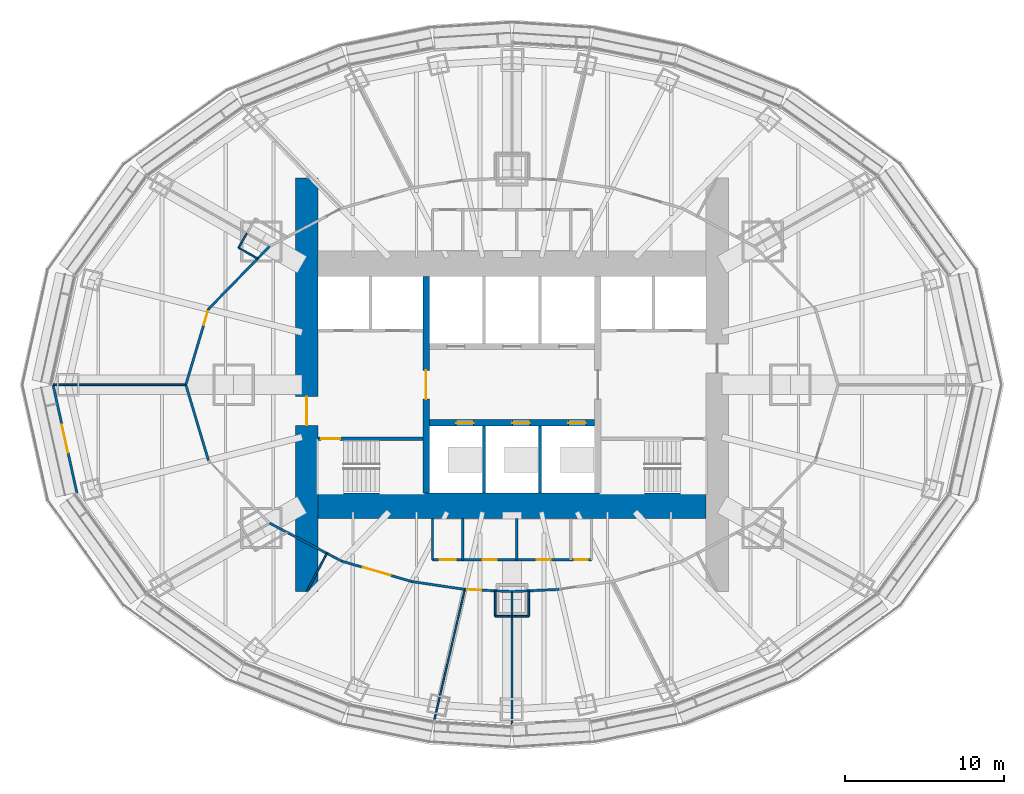
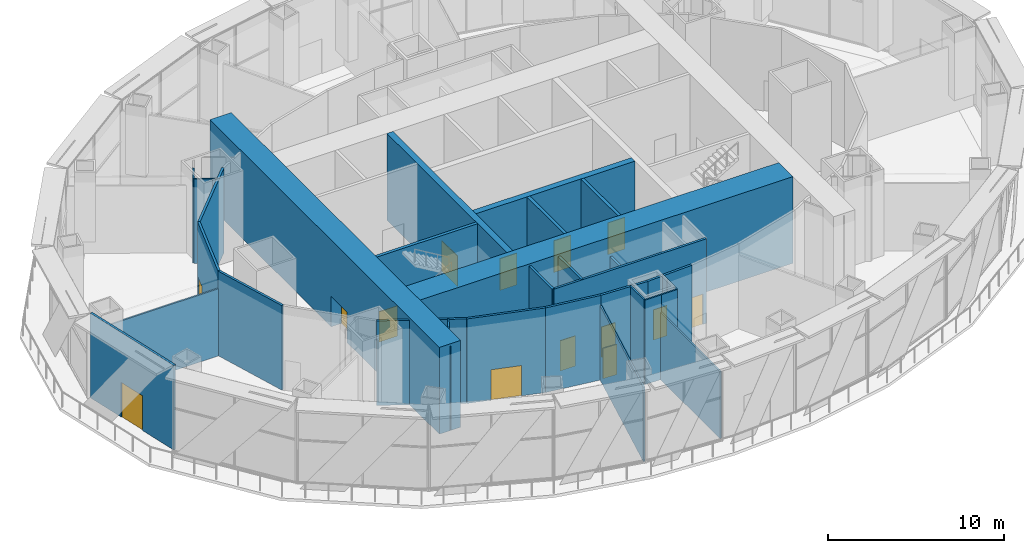
# One storey, part 11 of 21: 32 walls, 14 doors, 14 openings.
"""IFC4 building model written with IfcOpenShell, lengths in metres."""

from ifc_helpers import new_model, si_unit, direction, frame, frame_2d, origin, place, context, subcontext, project, spatial, rectangle, extrude, material, layer, layer_set, type_object, element, fill, save


model = new_model("IFC4")

# Units and contexts
model_context = context("Model", 3, precision=1e-05, world=origin(), true_north=direction((0.0, 1.0)))
body_context = subcontext(model_context, "Body", "Model", "MODEL_VIEW")
ifc_project = project(units=[si_unit("LENGTHUNIT", "METRE"), si_unit("AREAUNIT", "SQUARE_METRE"), si_unit("VOLUMEUNIT", "CUBIC_METRE"), si_unit("PLANEANGLEUNIT", "RADIAN"), si_unit("MASSUNIT", "GRAM", prefix="KILO")], contexts=[model_context])

# Site, building, storey
site_placement = place(None, origin())
site = spatial("IfcSite", under=ifc_project, at=site_placement, CompositionType="ELEMENT")
building_placement = place(site_placement, origin())
building = spatial("IfcBuilding", under=site, at=building_placement, Name="Lantaw Convention Tower", CompositionType="ELEMENT")
storey_placement = place(building_placement, frame((0.0, 0.0, 111.39990234375)))
storey = spatial("IfcBuildingStorey", under=building, at=storey_placement, Name="L26", CompositionType="ELEMENT", Elevation=111.39990234375)

# Walls
ifc_material_1 = material(Name="Fire-rated board casing on steel studs", Category="steel")
ifc_layer_1 = layer(ifc_material_1, 0.10009765625)
ifc_layer_set_1 = layer_set([ifc_layer_1], Name="Casing wall 100 EI 120")
wall_type_1 = type_object("IfcWallType", Name="Casing wall 100 EI 120", PredefinedType="PARTITIONING", material=ifc_layer_set_1)
wall_1_placement = place(storey_placement, frame((1.050048828125, -12.951416015625, 0.0), z_axis=(0.0, 0.0, 1.0), x_axis=(0.0, -1.0, 0.0)))
element("IfcWall", 1, at=wall_1_placement, inside=storey, type_object=wall_type_1, Name="Casing wall 100", PredefinedType="PARTITIONING", context=body_context, shape_type="SweptSolid", body=[
    extrude(rectangle(XDim=0.548583984375, YDim=0.10009765625, at=frame_2d((0.2744140625, 0.0))), origin(), (0.0, 0.0, 1.0), 5.85009765625),
])
for number, where, z_axis, x_axis, name in (
    (2, (1.050048828125, -13.5, 0.0), (0.0, 0.0, 1.0), (0.0, -1.0, 0.0), "Casing wall 100"),
    (3, (1.050048828125, -14.550048828125, 0.0), (0.0, 0.0, 1.0), (-1.0, 0.0, 0.0), "Casing wall 100"),
    (4, (0.0, -14.550048828125, 0.0), (0.0, 0.0, 1.0), (-1.0, 0.0, 0.0), "Casing wall 100"),
):
    element("IfcWall", number, at=place(storey_placement, frame(where, z_axis=z_axis, x_axis=x_axis)), inside=storey, type_object=wall_type_1, Name=name, PredefinedType="PARTITIONING", context=body_context, shape_type="SweptSolid", body=[
        extrude(rectangle(XDim=1.050048828125, YDim=0.10009765625, at=frame_2d((0.52490234375, 0.0))), origin(), (0.0, 0.0, 1.0), 5.85009765625),
    ])
wall_2_placement = place(storey_placement, frame((-1.050048828125, -14.550048828125, 0.0), z_axis=(0.0, 0.0, 1.0), x_axis=(0.0, 1.0, 0.0)))
element("IfcWall", 5, at=wall_2_placement, inside=storey, type_object=wall_type_1, Name="Casing wall 100", PredefinedType="PARTITIONING", context=body_context, shape_type="SweptSolid", body=[
    extrude(rectangle(XDim=1.5986328125, YDim=0.10009765625, at=frame_2d((0.79931640625, 0.0))), origin(), (0.0, 0.0, 1.0), 5.85009765625),
])
wall_3_placement = place(storey_placement, frame((-17.1826171875, 8.609375, 0.0), z_axis=(0.0, 0.0, 1.0), x_axis=(0.49623995811, 0.868185408755, 0.0)))
element("IfcWall", 6, at=wall_3_placement, inside=storey, type_object=wall_type_1, Name="Casing wall 100", PredefinedType="PARTITIONING", context=body_context, shape_type="SweptSolid", body=[
    extrude(rectangle(XDim=1.041015625, YDim=0.10009765625, at=frame_2d((0.5205078125, 0.0))), origin(), (0.0, 0.0, 1.0), 5.85009765625),
])
wall_4_placement = place(storey_placement, frame((-15.98681640625, 7.926025390625, 0.0), z_axis=(0.0, 0.0, 1.0), x_axis=(-0.868289043195, 0.496058602856, 0.0)))
element("IfcWall", 7, at=wall_4_placement, inside=storey, type_object=wall_type_1, Name="Casing wall 100", PredefinedType="PARTITIONING", context=body_context, shape_type="SweptSolid", body=[
    extrude(rectangle(XDim=0.327392578125, YDim=0.10009765625, at=frame_2d((0.16357421875, 0.0))), origin(), (0.0, 0.0, 1.0), 5.85009765625),
])
wall_5_placement = place(storey_placement, frame((-16.27099609375, 8.08837890625, 0.0), z_axis=(0.0, 0.0, 1.0), x_axis=(-0.868214523334, 0.496189017888, 0.0)))
element("IfcWall", 8, at=wall_5_placement, inside=storey, type_object=wall_type_1, Name="Casing wall 100", PredefinedType="PARTITIONING", context=body_context, shape_type="SweptSolid", body=[
    extrude(rectangle(XDim=1.050048828125, YDim=0.10009765625, at=frame_2d((0.52490234375, 0.0))), origin(), (0.0, 0.0, 1.0), 5.85009765625),
])

# Wall, opening, door
ifc_material_2 = material(Name="Concrete C60/75", Category="concrete")
ifc_layer_2 = layer(ifc_material_2, 1.39990234375)
ifc_layer_set_2 = layer_set([ifc_layer_2], Name="Core wall 1400")
wall_type_2 = type_object("IfcWallType", Name="Core wall 1400", PredefinedType="SHEAR", material=ifc_layer_set_2)
wall_6_placement = place(storey_placement, frame((-12.89990234375, 13.0, 0.0), z_axis=(0.0, 0.0, 1.0), x_axis=(0.0, -1.0, 0.0)))
wall_6 = element("IfcWall", 9, at=wall_6_placement, inside=storey, type_object=wall_type_2, Name="Core wall W", PredefinedType="SHEAR", context=body_context, shape_type="SweptSolid", body=[
    extrude(rectangle(XDim=26.0, YDim=1.39990234375, at=frame_2d((13.0, 0.0))), origin(), (0.0, 0.0, 1.0), 6.0),
])
opening_1_placement = place(wall_6_placement, frame((13.75, 0.0, 0.0)))
opening_1 = element("IfcOpeningElement", 10, at=opening_1_placement, cuts=wall_6, Name="Opening L26.06", PredefinedType="OPENING", context=body_context, shape_type="SweptSolid", body=[
    extrude(rectangle(XDim=1.800048828125, YDim=2.10009765625, at=frame_2d((0.89990234375, 1.050048828125))), frame((0.0, 0.7099609375, 0.0), z_axis=(0.0, -1.0, 0.0), x_axis=(1.0, 0.0, 0.0)), (0.0, 0.0, 1.0), 1.419921875),
])
ifc_material_3 = material(Name="Steel, fire rated", Category="steel")
door_type_1 = type_object("IfcDoorType", Name="Lobby double door FD90", OperationType="DOUBLE_DOOR_DOUBLE_SWING", PredefinedType="DOOR", material=ifc_material_3)
door_1_placement = place(opening_1_placement, origin())
door_1 = element("IfcDoor", 11, at=door_1_placement, inside=storey, type_object=door_type_1, Name="Firefighting lobby door", OperationType="DOUBLE_DOOR_DOUBLE_SWING", OverallHeight=2.10009765625, OverallWidth=1.800048828125, PredefinedType="DOOR", context=body_context, shape_type="SweptSolid", body=[
    extrude(rectangle(XDim=1.800048828125, YDim=2.10009765625, at=frame_2d((0.89990234375, 1.050048828125))), frame((0.0, 0.02490234375, 0.0), z_axis=(0.0, -1.0, 0.0), x_axis=(1.0, 0.0, 0.0)), (0.0, 0.0, 1.0), 0.050048828125),
])
fill(opening_1, door_1)

# Wall
ifc_layer_3 = layer(ifc_material_2, 1.60009765625)
ifc_layer_set_3 = layer_set([ifc_layer_3], Name="Core wall 1600")
wall_type_3 = type_object("IfcWallType", Name="Core wall 1600", PredefinedType="SHEAR", material=ifc_layer_set_3)
wall_7_placement = place(storey_placement, frame((-12.199951171875, -7.60009765625, 0.0), z_axis=(0.0, 0.0, 1.0), x_axis=(1.0, 0.0, 0.0)))
element("IfcWall", 12, at=wall_7_placement, inside=storey, type_object=wall_type_3, Name="Core wall S", PredefinedType="SHEAR", context=body_context, shape_type="SweptSolid", body=[
    extrude(rectangle(XDim=24.39990234375, YDim=1.60009765625, at=frame_2d((12.199951171875, 0.0))), origin(), (0.0, 0.0, 1.0), 6.0),
])

# Wall, opening, door
ifc_layer_4 = layer(ifc_material_2, 0.199951171875)
ifc_layer_set_4 = layer_set([ifc_layer_4], Name="Core wall 200")
wall_type_4 = type_object("IfcWallType", Name="Core wall 200", PredefinedType="SHEAR", material=ifc_layer_set_4)
wall_8_placement = place(storey_placement, frame((-5.60009765625, -3.39990234375, 0.0), z_axis=(0.0, 0.0, 1.0), x_axis=(-1.0, 0.0, 0.0)))
wall_8 = element("IfcWall", 13, at=wall_8_placement, inside=storey, type_object=wall_type_4, Name="Core wall WS", PredefinedType="SHEAR", context=body_context, shape_type="SweptSolid", body=[
    extrude(rectangle(XDim=6.599853515625, YDim=0.199951171875, at=frame_2d((3.2998046875, 0.0))), origin(), (0.0, 0.0, 1.0), 6.0),
])
opening_2_placement = place(wall_8_placement, frame((5.199951171875, 0.0, 0.0)))
opening_2 = element("IfcOpeningElement", 14, at=opening_2_placement, cuts=wall_8, Name="Opening L26.04", PredefinedType="OPENING", context=body_context, shape_type="SweptSolid", body=[
    extrude(rectangle(XDim=1.199951171875, YDim=2.10009765625, at=frame_2d((0.60009765625, 1.050048828125))), frame((0.0, 0.10986328125, 0.0), z_axis=(0.0, -1.0, 0.0), x_axis=(1.0, 0.0, 0.0)), (0.0, 0.0, 1.0), 0.219970703125),
])
door_type_2 = type_object("IfcDoorType", Name="Stair door FD90", OperationType="SINGLE_SWING_RIGHT", PredefinedType="DOOR", material=ifc_material_3)
door_2_placement = place(opening_2_placement, origin())
door_2 = element("IfcDoor", 15, at=door_2_placement, inside=storey, type_object=door_type_2, Name="Exit stair door", OperationType="SINGLE_SWING_RIGHT", OverallHeight=2.10009765625, OverallWidth=1.199951171875, PredefinedType="DOOR", context=body_context, shape_type="SweptSolid", body=[
    extrude(rectangle(XDim=1.199951171875, YDim=2.10009765625, at=frame_2d((0.60009765625, 1.050048828125))), frame((0.0, 0.02490234375, 0.0), z_axis=(0.0, -1.0, 0.0), x_axis=(1.0, 0.0, 0.0)), (0.0, 0.0, 1.0), 0.050048828125),
])
fill(opening_2, door_2)

ifc_layer_5 = layer(ifc_material_2, 0.39990234375)
ifc_layer_set_5 = layer_set([ifc_layer_5], Name="Core wall 400")
wall_type_5 = type_object("IfcWallType", Name="Core wall 400", PredefinedType="SHEAR", material=ifc_layer_set_5)
wall_9_placement = place(storey_placement, frame((-5.39990234375, 6.800048828125, 0.0), z_axis=(0.0, 0.0, 1.0), x_axis=(0.0, -1.0, 0.0)))
wall_9 = element("IfcWall", 16, at=wall_9_placement, inside=storey, type_object=wall_type_5, Name="Core wall XW", PredefinedType="SHEAR", context=body_context, shape_type="SweptSolid", body=[
    extrude(rectangle(XDim=13.60009765625, YDim=0.39990234375, at=frame_2d((6.800048828125, 0.0))), origin(), (0.0, 0.0, 1.0), 6.0),
])
opening_3_placement = place(wall_9_placement, frame((5.89990234375, 0.0, 0.0)))
opening_3 = element("IfcOpeningElement", 17, at=opening_3_placement, cuts=wall_9, Name="Opening L26.02", PredefinedType="OPENING", context=body_context, shape_type="SweptSolid", body=[
    extrude(rectangle(XDim=1.800048828125, YDim=2.10009765625, at=frame_2d((0.89990234375, 1.050048828125))), frame((0.0, 0.2099609375, 0.0), z_axis=(0.0, -1.0, 0.0), x_axis=(1.0, 0.0, 0.0)), (0.0, 0.0, 1.0), 0.419921875),
])
door_3_placement = place(opening_3_placement, origin())
door_3 = element("IfcDoor", 18, at=door_3_placement, inside=storey, type_object=door_type_1, Name="Lift lobby door", OperationType="DOUBLE_DOOR_DOUBLE_SWING", OverallHeight=2.10009765625, OverallWidth=1.800048828125, PredefinedType="DOOR", context=body_context, shape_type="SweptSolid", body=[
    extrude(rectangle(XDim=1.800048828125, YDim=2.10009765625, at=frame_2d((0.89990234375, 1.050048828125))), frame((0.0, 0.02490234375, 0.0), z_axis=(0.0, -1.0, 0.0), x_axis=(1.0, 0.0, 0.0)), (0.0, 0.0, 1.0), 0.050048828125),
])
fill(opening_3, door_3)

# Wall, openings, doors
wall_10_placement = place(storey_placement, frame((-5.199951171875, -2.39990234375, 0.0), z_axis=(0.0, 0.0, 1.0), x_axis=(1.0, 0.0, 0.0)))
wall_10 = element("IfcWall", 19, at=wall_10_placement, inside=storey, type_object=wall_type_5, Name="Core wall BS", PredefinedType="SHEAR", context=body_context, shape_type="SweptSolid", body=[
    extrude(rectangle(XDim=10.39990234375, YDim=0.39990234375, at=frame_2d((5.199951171875, 0.0))), origin(), (0.0, 0.0, 1.0), 6.0),
])
opening_4_placement = place(wall_10_placement, frame((1.683349609375, 0.0, 0.0)))
opening_4 = element("IfcOpeningElement", 20, at=opening_4_placement, cuts=wall_10, Name="Opening L26.08", PredefinedType="OPENING", context=body_context, shape_type="SweptSolid", body=[
    extrude(rectangle(XDim=1.10009765625, YDim=2.199951171875, at=frame_2d((0.550048828125, 1.10009765625))), frame((0.0, 0.2099609375, 0.0), z_axis=(0.0, -1.0, 0.0), x_axis=(1.0, 0.0, 0.0)), (0.0, 0.0, 1.0), 0.419921875),
])
opening_5_placement = place(wall_10_placement, frame((5.216796875, 0.0, 0.0)))
opening_5 = element("IfcOpeningElement", 21, at=opening_5_placement, cuts=wall_10, Name="Opening L26.10", PredefinedType="OPENING", context=body_context, shape_type="SweptSolid", body=[
    extrude(rectangle(XDim=1.10009765625, YDim=2.199951171875, at=frame_2d((0.550048828125, 1.10009765625))), frame((0.0, 0.2099609375, 0.0), z_axis=(0.0, -1.0, 0.0), x_axis=(1.0, 0.0, 0.0)), (0.0, 0.0, 1.0), 0.419921875),
])
opening_6_placement = place(wall_10_placement, frame((8.75, 0.0, 0.0)))
opening_6 = element("IfcOpeningElement", 22, at=opening_6_placement, cuts=wall_10, Name="Opening L26.12", PredefinedType="OPENING", context=body_context, shape_type="SweptSolid", body=[
    extrude(rectangle(XDim=1.10009765625, YDim=2.199951171875, at=frame_2d((0.550048828125, 1.10009765625))), frame((0.0, 0.2099609375, 0.0), z_axis=(0.0, -1.0, 0.0), x_axis=(1.0, 0.0, 0.0)), (0.0, 0.0, 1.0), 0.419921875),
])
ifc_material_4 = material(Name="Stainless steel", Category="steel")
door_type_3 = type_object("IfcDoorType", Name="Lift landing door 1100", OperationType="DOUBLE_DOOR_SLIDING", PredefinedType="DOOR", material=ifc_material_4)
door_4_placement = place(opening_4_placement, origin())
door_4 = element("IfcDoor", 23, at=door_4_placement, inside=storey, type_object=door_type_3, Name="Lift landing door S1", OperationType="DOUBLE_DOOR_SLIDING", OverallHeight=2.199951171875, OverallWidth=1.10009765625, PredefinedType="DOOR", context=body_context, shape_type="SweptSolid", body=[
    extrude(rectangle(XDim=1.10009765625, YDim=2.199951171875, at=frame_2d((0.550048828125, 1.10009765625))), frame((0.0, 0.02490234375, 0.0), z_axis=(0.0, -1.0, 0.0), x_axis=(1.0, 0.0, 0.0)), (0.0, 0.0, 1.0), 0.050048828125),
])
fill(opening_4, door_4)
door_5_placement = place(opening_5_placement, origin())
door_5 = element("IfcDoor", 24, at=door_5_placement, inside=storey, type_object=door_type_3, Name="Lift landing door S2", OperationType="DOUBLE_DOOR_SLIDING", OverallHeight=2.199951171875, OverallWidth=1.10009765625, PredefinedType="DOOR", context=body_context, shape_type="SweptSolid", body=[
    extrude(rectangle(XDim=1.10009765625, YDim=2.199951171875, at=frame_2d((0.550048828125, 1.10009765625))), frame((0.0, 0.02490234375, 0.0), z_axis=(0.0, -1.0, 0.0), x_axis=(1.0, 0.0, 0.0)), (0.0, 0.0, 1.0), 0.050048828125),
])
fill(opening_5, door_5)
door_6_placement = place(opening_6_placement, origin())
door_6 = element("IfcDoor", 25, at=door_6_placement, inside=storey, type_object=door_type_3, Name="Lift landing door S3", OperationType="DOUBLE_DOOR_SLIDING", OverallHeight=2.199951171875, OverallWidth=1.10009765625, PredefinedType="DOOR", context=body_context, shape_type="SweptSolid", body=[
    extrude(rectangle(XDim=1.10009765625, YDim=2.199951171875, at=frame_2d((0.550048828125, 1.10009765625))), frame((0.0, 0.02490234375, 0.0), z_axis=(0.0, -1.0, 0.0), x_axis=(1.0, 0.0, 0.0)), (0.0, 0.0, 1.0), 0.050048828125),
])
fill(opening_6, door_6)

# Wall
ifc_material_5 = material(Name="Gypsum board on steel studs, fire rated", Category="steel")
ifc_layer_6 = layer(ifc_material_5, 0.14990234375)
ifc_layer_set_6 = layer_set([ifc_layer_6], Name="Corridor wall 150 EI 60")
wall_type_6 = type_object("IfcWallType", Name="Corridor wall 150 EI 60", PredefinedType="PARTITIONING", material=ifc_layer_set_6)
wall_11_placement = place(storey_placement, frame((-15.229248046875, 8.702392578125, 0.0), z_axis=(0.0, 0.0, 1.0), x_axis=(-0.698305033542, -0.715800307439, 0.0)))
element("IfcWall", 26, at=wall_11_placement, inside=storey, type_object=wall_type_6, Name="Corridor wall 150", PredefinedType="PARTITIONING", context=body_context, shape_type="SweptSolid", body=[
    extrude(rectangle(XDim=5.51220703125, YDim=0.14990234375, at=frame_2d((2.756103515625, 0.0))), origin(), (0.0, 0.0, 1.0), 5.85009765625),
])

# Wall, opening, door
wall_12_placement = place(storey_placement, frame((-19.078369140625, 4.7568359375, 0.0), z_axis=(0.0, 0.0, 1.0), x_axis=(-0.286346182056, -0.958126225516, 0.0)))
wall_12 = element("IfcWall", 27, at=wall_12_placement, inside=storey, type_object=wall_type_6, Name="Corridor wall 150", PredefinedType="PARTITIONING", context=body_context, shape_type="SweptSolid", body=[
    extrude(rectangle(XDim=4.96484375, YDim=0.14990234375, at=frame_2d((2.482421875, 0.0))), origin(), (0.0, 0.0, 1.0), 5.85009765625),
])
opening_7_placement = place(wall_12_placement, frame((0.14990234375, 0.0, 0.0)))
opening_7 = element("IfcOpeningElement", 28, at=opening_7_placement, cuts=wall_12, Name="Opening L26.31", PredefinedType="OPENING", context=body_context, shape_type="SweptSolid", body=[
    extrude(rectangle(XDim=0.89990234375, YDim=2.10009765625, at=frame_2d((0.449951171875, 1.050048828125))), frame((0.0, 0.0849609375, 0.0), z_axis=(0.0, -1.0, 0.0), x_axis=(1.0, 0.0, 0.0)), (0.0, 0.0, 1.0), 0.169921875),
])
door_type_4 = type_object("IfcDoorType", Name="Office door 900 FD30", OperationType="SINGLE_SWING_LEFT", PredefinedType="DOOR", material=ifc_material_3)
door_7_placement = place(opening_7_placement, origin())
door_7 = element("IfcDoor", 29, at=door_7_placement, inside=storey, type_object=door_type_4, Name="Security office door", OperationType="SINGLE_SWING_LEFT", OverallHeight=2.10009765625, OverallWidth=0.89990234375, PredefinedType="DOOR", context=body_context, shape_type="SweptSolid", body=[
    extrude(rectangle(XDim=0.89990234375, YDim=2.10009765625, at=frame_2d((0.449951171875, 1.050048828125))), frame((0.0, 0.02490234375, 0.0), z_axis=(0.0, -1.0, 0.0), x_axis=(1.0, 0.0, 0.0)), (0.0, 0.0, 1.0), 0.050048828125),
])
fill(opening_7, door_7)

# Walls
wall_13_placement = place(storey_placement, frame((-20.5, 0.0, 0.0), z_axis=(0.0, 0.0, 1.0), x_axis=(0.286346182056, -0.958126225516, 0.0)))
element("IfcWall", 30, at=wall_13_placement, inside=storey, type_object=wall_type_6, Name="Corridor wall 150", PredefinedType="PARTITIONING", context=body_context, shape_type="SweptSolid", body=[
    extrude(rectangle(XDim=4.96484375, YDim=0.14990234375, at=frame_2d((2.482421875, 0.0))), origin(), (0.0, 0.0, 1.0), 5.85009765625),
])
wall_14_placement = place(storey_placement, frame((-15.229248046875, -8.702392578125, 0.0), z_axis=(0.0, 0.0, 1.0), x_axis=(0.884643590306, -0.466267860924, 0.0)))
element("IfcWall", 31, at=wall_14_placement, inside=storey, type_object=wall_type_6, Name="Corridor wall 150", PredefinedType="PARTITIONING", context=body_context, shape_type="SweptSolid", body=[
    extrude(rectangle(XDim=5.113037109375, YDim=0.14990234375, at=frame_2d((2.556640625, 0.0))), origin(), (0.0, 0.0, 1.0), 5.85009765625),
])

# Wall, opening, door
wall_15_placement = place(storey_placement, frame((-10.7060546875, -11.08642578125, 0.0), z_axis=(0.0, 0.0, 1.0), x_axis=(0.96001728753, -0.279940721659, 0.0)))
wall_15 = element("IfcWall", 32, at=wall_15_placement, inside=storey, type_object=wall_type_6, Name="Corridor wall 150", PredefinedType="PARTITIONING", context=body_context, shape_type="SweptSolid", body=[
    extrude(rectangle(XDim=4.58642578125, YDim=0.14990234375, at=frame_2d((2.293212890625, 0.0))), origin(), (0.0, 0.0, 1.0), 5.85009765625),
])
opening_8_placement = place(wall_15_placement, frame((1.393310546875, 0.0, 0.0)))
opening_8 = element("IfcOpeningElement", 33, at=opening_8_placement, cuts=wall_15, Name="Opening L26.33", PredefinedType="OPENING", context=body_context, shape_type="SweptSolid", body=[
    extrude(rectangle(XDim=1.800048828125, YDim=2.10009765625, at=frame_2d((0.89990234375, 1.050048828125))), frame((0.0, 0.0849609375, 0.0), z_axis=(0.0, -1.0, 0.0), x_axis=(1.0, 0.0, 0.0)), (0.0, 0.0, 1.0), 0.169921875),
])
door_type_5 = type_object("IfcDoorType", Name="Office double door 1800 FD30", OperationType="DOUBLE_DOOR_DOUBLE_SWING", PredefinedType="DOOR", material=ifc_material_3)
door_8_placement = place(opening_8_placement, origin())
door_8 = element("IfcDoor", 34, at=door_8_placement, inside=storey, type_object=door_type_5, Name="Tenant business centre door", OperationType="DOUBLE_DOOR_DOUBLE_SWING", OverallHeight=2.10009765625, OverallWidth=1.800048828125, PredefinedType="DOOR", context=body_context, shape_type="SweptSolid", body=[
    extrude(rectangle(XDim=1.800048828125, YDim=2.10009765625, at=frame_2d((0.89990234375, 1.050048828125))), frame((0.0, 0.02490234375, 0.0), z_axis=(0.0, -1.0, 0.0), x_axis=(1.0, 0.0, 0.0)), (0.0, 0.0, 1.0), 0.050048828125),
])
fill(opening_8, door_8)

# Wall
wall_16_placement = place(storey_placement, frame((-6.302978515625, -12.370361328125, 0.0), z_axis=(0.0, 0.0, 1.0), x_axis=(0.989262902935, -0.146146874329, 0.0)))
element("IfcWall", 35, at=wall_16_placement, inside=storey, type_object=wall_type_6, Name="Corridor wall 150", PredefinedType="PARTITIONING", context=body_context, shape_type="SweptSolid", body=[
    extrude(rectangle(XDim=3.369384765625, YDim=0.14990234375, at=frame_2d((1.6845703125, 0.0))), origin(), (0.0, 0.0, 1.0), 5.85009765625),
])

# Wall, opening, door
wall_17_placement = place(storey_placement, frame((-2.9697265625, -12.86279296875, 0.0), z_axis=(0.0, 0.0, 1.0), x_axis=(0.998934397568, -0.046152674403, 0.0)))
wall_17 = element("IfcWall", 36, at=wall_17_placement, inside=storey, type_object=wall_type_6, Name="Corridor wall 150", PredefinedType="PARTITIONING", context=body_context, shape_type="SweptSolid", body=[
    extrude(rectangle(XDim=2.972900390625, YDim=0.14990234375, at=frame_2d((1.486328125, 0.0))), origin(), (0.0, 0.0, 1.0), 5.85009765625),
])
opening_9_placement = place(wall_17_placement, frame((0.14990234375, 0.0, 0.0)))
opening_9 = element("IfcOpeningElement", 37, at=opening_9_placement, cuts=wall_17, Name="Opening L26.34", PredefinedType="OPENING", context=body_context, shape_type="SweptSolid", body=[
    extrude(rectangle(XDim=0.89990234375, YDim=2.10009765625, at=frame_2d((0.449951171875, 1.050048828125))), frame((0.0, 0.0849609375, 0.0), z_axis=(0.0, -1.0, 0.0), x_axis=(1.0, 0.0, 0.0)), (0.0, 0.0, 1.0), 0.169921875),
])
door_9_placement = place(opening_9_placement, origin())
door_9 = element("IfcDoor", 38, at=door_9_placement, inside=storey, type_object=door_type_4, Name="Mail and courier room door", OperationType="SINGLE_SWING_LEFT", OverallHeight=2.10009765625, OverallWidth=0.89990234375, PredefinedType="DOOR", context=body_context, shape_type="SweptSolid", body=[
    extrude(rectangle(XDim=0.89990234375, YDim=2.10009765625, at=frame_2d((0.449951171875, 1.050048828125))), frame((0.0, 0.02490234375, 0.0), z_axis=(0.0, -1.0, 0.0), x_axis=(1.0, 0.0, 0.0)), (0.0, 0.0, 1.0), 0.050048828125),
])
fill(opening_9, door_9)

# Wall
wall_18_placement = place(storey_placement, frame((0.0, -13.0, 0.0), z_axis=(0.0, 0.0, 1.0), x_axis=(0.998934397568, 0.046152674403, 0.0)))
element("IfcWall", 39, at=wall_18_placement, inside=storey, type_object=wall_type_6, Name="Corridor wall 150", PredefinedType="PARTITIONING", context=body_context, shape_type="SweptSolid", body=[
    extrude(rectangle(XDim=2.972900390625, YDim=0.14990234375, at=frame_2d((1.486328125, 0.0))), origin(), (0.0, 0.0, 1.0), 5.85009765625),
])

# Wall, opening, door
ifc_material_6 = material(Name="Aluminium framed glazing", Category="aluminium")
ifc_layer_7 = layer(ifc_material_6, 0.14990234375)
ifc_layer_set_7 = layer_set([ifc_layer_7], Name="Glazed entrance screen 150")
wall_type_7 = type_object("IfcWallType", Name="Glazed entrance screen 150", PredefinedType="ELEMENTEDWALL", material=ifc_layer_set_7)
wall_19_placement = place(storey_placement, frame((-28.853515625, 0.0322265625, 0.0), z_axis=(0.0, 0.0, 1.0), x_axis=(0.21553795351, -0.976495463685, 0.0)))
wall_19 = element("IfcWall", 40, at=wall_19_placement, inside=storey, type_object=wall_type_7, Name="Glazed entrance screen", PredefinedType="ELEMENTEDWALL", context=body_context, shape_type="SweptSolid", body=[
    extrude(rectangle(XDim=7.018310546875, YDim=0.14990234375, at=frame_2d((3.50927734375, 0.0))), origin(), (0.0, 0.0, 1.0), 5.85009765625),
])
opening_10_placement = place(wall_19_placement, frame((2.609130859375, 0.0, 0.0)))
opening_10 = element("IfcOpeningElement", 41, at=opening_10_placement, cuts=wall_19, Name="Opening L26.E12", PredefinedType="OPENING", context=body_context, shape_type="SweptSolid", body=[
    extrude(rectangle(XDim=1.800048828125, YDim=2.39990234375, at=frame_2d((0.89990234375, 1.199951171875))), frame((0.0, 0.0849609375, 0.0), z_axis=(0.0, -1.0, 0.0), x_axis=(1.0, 0.0, 0.0)), (0.0, 0.0, 1.0), 0.169921875),
])
ifc_material_7 = material(Name="Aluminium and glass", Category="aluminium")
door_type_6 = type_object("IfcDoorType", Name="Terrace door 1800", OperationType="DOUBLE_DOOR_DOUBLE_SWING", PredefinedType="DOOR", material=ifc_material_7)
door_10_placement = place(opening_10_placement, origin())
door_10 = element("IfcDoor", 42, at=door_10_placement, inside=storey, type_object=door_type_6, Name="Terrace door", OperationType="DOUBLE_DOOR_DOUBLE_SWING", OverallHeight=2.39990234375, OverallWidth=1.800048828125, PredefinedType="DOOR", context=body_context, shape_type="SweptSolid", body=[
    extrude(rectangle(XDim=1.800048828125, YDim=2.39990234375, at=frame_2d((0.89990234375, 1.199951171875))), frame((0.0, 0.02490234375, 0.0), z_axis=(0.0, -1.0, 0.0), x_axis=(1.0, 0.0, 0.0)), (0.0, 0.0, 1.0), 0.050048828125),
])
fill(opening_10, door_10)

# Walls
ifc_material_8 = material(Name="Gypsum board on steel studs, acoustic", Category="steel")
ifc_layer_8 = layer(ifc_material_8, 0.10009765625)
ifc_layer_set_8 = layer_set([ifc_layer_8], Name="Office partition 100")
wall_type_8 = type_object("IfcWallType", Name="Office partition 100", PredefinedType="PARTITIONING", material=ifc_layer_set_8)
wall_20_placement = place(storey_placement, frame((-28.82080078125, 0.0, 0.0), z_axis=(0.0, 0.0, 1.0), x_axis=(1.0, 0.0, 0.0)))
element("IfcWall", 43, at=wall_20_placement, inside=storey, type_object=wall_type_8, Name="Office partition 100", PredefinedType="PARTITIONING", context=body_context, shape_type="SweptSolid", body=[
    extrude(rectangle(XDim=8.32080078125, YDim=0.10009765625, at=frame_2d((4.160400390625, 0.0))), origin(), (0.0, 0.0, 1.0), 4.650146484375),
])
wall_21_placement = place(storey_placement, frame((-4.89697265625, -21.134765625, 0.0), z_axis=(0.0, 0.0, 1.0), x_axis=(0.226907932986, 0.973916213002, 0.0)))
element("IfcWall", 44, at=wall_21_placement, inside=storey, type_object=wall_type_8, Name="Office partition 100", PredefinedType="PARTITIONING", context=body_context, shape_type="SweptSolid", body=[
    extrude(rectangle(XDim=8.493408203125, YDim=0.10009765625, at=frame_2d((4.24658203125, 0.0))), origin(), (0.0, 0.0, 1.0), 5.149169921875),
])
wall_22_placement = place(storey_placement, frame((0.0, -21.32470703125, 0.0), z_axis=(0.0, 0.0, 1.0), x_axis=(0.0, 1.0, 0.0)))
element("IfcWall", 45, at=wall_22_placement, inside=storey, type_object=wall_type_8, Name="Office partition 100", PredefinedType="PARTITIONING", context=body_context, shape_type="SweptSolid", body=[
    extrude(rectangle(XDim=8.32470703125, YDim=0.10009765625, at=frame_2d((4.162353515625, 0.0))), origin(), (0.0, 0.0, 1.0), 4.650146484375),
])
wall_23_placement = place(storey_placement, frame((-12.89990234375, -13.0, 0.0), z_axis=(0.0, 0.0, 1.0), x_axis=(0.466205800243, 0.884676297761, 0.0)))
element("IfcWall", 46, at=wall_23_placement, inside=storey, type_object=wall_type_8, Name="Office partition 100", PredefinedType="PARTITIONING", context=body_context, shape_type="SweptSolid", body=[
    extrude(rectangle(XDim=2.7158203125, YDim=0.10009765625, at=frame_2d((1.35791015625, 0.0))), origin(), (0.0, 0.0, 1.0), 5.85009765625),
])
ifc_material_9 = material(Name="Concrete blockwork, fire rated", Category="masonry")
ifc_layer_9 = layer(ifc_material_9, 0.199951171875)
ifc_layer_set_9 = layer_set([ifc_layer_9], Name="Shaft wall 200 load-bearing")
wall_type_9 = type_object("IfcWallType", Name="Shaft wall 200 load-bearing", PredefinedType="SOLIDWALL", material=ifc_layer_set_9)
for number, where, z_axis, x_axis, name in (
    (47, (-1.7666015625, -2.60009765625, 0.0), (0.0, 0.0, 1.0), (0.0, -1.0, 0.0), "Shaft wall DS1"),
    (48, (1.7666015625, -2.60009765625, 0.0), (0.0, 0.0, 1.0), (0.0, -1.0, 0.0), "Shaft wall DS2"),
):
    element("IfcWall", number, at=place(storey_placement, frame(where, z_axis=z_axis, x_axis=x_axis)), inside=storey, type_object=wall_type_9, Name=name, PredefinedType="SOLIDWALL", context=body_context, shape_type="SweptSolid", body=[
        extrude(rectangle(XDim=4.199951171875, YDim=0.199951171875, at=frame_2d((2.10009765625, 0.0))), origin(), (0.0, 0.0, 1.0), 6.0),
    ])

# Wall, openings, doors
ifc_material_10 = material(Name="Concrete blockwork", Category="masonry")
ifc_layer_10 = layer(ifc_material_10, 0.14990234375)
ifc_layer_set_10 = layer_set([ifc_layer_10], Name="WC wall 150")
wall_type_10 = type_object("IfcWallType", Name="WC wall 150", PredefinedType="SOLIDWALL", material=ifc_layer_set_10)
wall_24_placement = place(storey_placement, frame((-5.0, -11.007080078125, 0.0), z_axis=(0.0, 0.0, 1.0), x_axis=(1.0, 0.0, 0.0)))
wall_24 = element("IfcWall", 49, at=wall_24_placement, inside=storey, type_object=wall_type_10, Name="WC wall 150", PredefinedType="SOLIDWALL", context=body_context, shape_type="SweptSolid", body=[
    extrude(rectangle(XDim=10.0, YDim=0.14990234375, at=frame_2d((5.0, 0.0))), origin(), (0.0, 0.0, 1.0), 5.85009765625),
])
opening_11_placement = place(wall_24_placement, frame((0.449951171875, 0.0, 0.0)))
opening_11 = element("IfcOpeningElement", 50, at=opening_11_placement, cuts=wall_24, Name="Opening L26.21", PredefinedType="OPENING", context=body_context, shape_type="SweptSolid", body=[
    extrude(rectangle(XDim=1.0, YDim=2.10009765625, at=frame_2d((0.5, 1.050048828125))), frame((0.0, 0.0849609375, 0.0), z_axis=(0.0, -1.0, 0.0), x_axis=(1.0, 0.0, 0.0)), (0.0, 0.0, 1.0), 0.169921875),
])
opening_12_placement = place(wall_24_placement, frame((3.14990234375, 0.0, 0.0)))
opening_12 = element("IfcOpeningElement", 51, at=opening_12_placement, cuts=wall_24, Name="Opening L26.22", PredefinedType="OPENING", context=body_context, shape_type="SweptSolid", body=[
    extrude(rectangle(XDim=0.89990234375, YDim=2.10009765625, at=frame_2d((0.449951171875, 1.050048828125))), frame((0.0, 0.0849609375, 0.0), z_axis=(0.0, -1.0, 0.0), x_axis=(1.0, 0.0, 0.0)), (0.0, 0.0, 1.0), 0.169921875),
])
opening_13_placement = place(wall_24_placement, frame((6.550048828125, 0.0, 0.0)))
opening_13 = element("IfcOpeningElement", 52, at=opening_13_placement, cuts=wall_24, Name="Opening L26.23", PredefinedType="OPENING", context=body_context, shape_type="SweptSolid", body=[
    extrude(rectangle(XDim=0.89990234375, YDim=2.10009765625, at=frame_2d((0.449951171875, 1.050048828125))), frame((0.0, 0.0849609375, 0.0), z_axis=(0.0, -1.0, 0.0), x_axis=(1.0, 0.0, 0.0)), (0.0, 0.0, 1.0), 0.169921875),
])
opening_14_placement = place(wall_24_placement, frame((8.949951171875, 0.0, 0.0)))
opening_14 = element("IfcOpeningElement", 53, at=opening_14_placement, cuts=wall_24, Name="Opening L26.24", PredefinedType="OPENING", context=body_context, shape_type="SweptSolid", body=[
    extrude(rectangle(XDim=0.800048828125, YDim=2.10009765625, at=frame_2d((0.39990234375, 1.050048828125))), frame((0.0, 0.0849609375, 0.0), z_axis=(0.0, -1.0, 0.0), x_axis=(1.0, 0.0, 0.0)), (0.0, 0.0, 1.0), 0.169921875),
])
ifc_material_11 = material(Name="Timber", Category="wood")
door_type_7 = type_object("IfcDoorType", Name="Accessible WC door 1000", OperationType="SINGLE_SWING_LEFT", PredefinedType="DOOR", material=ifc_material_11)
door_11_placement = place(opening_11_placement, origin())
door_11 = element("IfcDoor", 54, at=door_11_placement, inside=storey, type_object=door_type_7, Name="Accessible WC door", OperationType="SINGLE_SWING_LEFT", OverallHeight=2.10009765625, OverallWidth=1.0, PredefinedType="DOOR", context=body_context, shape_type="SweptSolid", body=[
    extrude(rectangle(XDim=1.0, YDim=2.10009765625, at=frame_2d((0.5, 1.050048828125))), frame((0.0, 0.02490234375, 0.0), z_axis=(0.0, -1.0, 0.0), x_axis=(1.0, 0.0, 0.0)), (0.0, 0.0, 1.0), 0.050048828125),
])
fill(opening_11, door_11)
door_type_8 = type_object("IfcDoorType", Name="WC door 800", OperationType="SINGLE_SWING_LEFT", PredefinedType="DOOR", material=ifc_material_11)
door_12_placement = place(opening_14_placement, origin())
door_12 = element("IfcDoor", 55, at=door_12_placement, inside=storey, type_object=door_type_8, Name="Pantry door", OperationType="SINGLE_SWING_LEFT", OverallHeight=2.10009765625, OverallWidth=0.800048828125, PredefinedType="DOOR", context=body_context, shape_type="SweptSolid", body=[
    extrude(rectangle(XDim=0.800048828125, YDim=2.10009765625, at=frame_2d((0.39990234375, 1.050048828125))), frame((0.0, 0.02490234375, 0.0), z_axis=(0.0, -1.0, 0.0), x_axis=(1.0, 0.0, 0.0)), (0.0, 0.0, 1.0), 0.050048828125),
])
fill(opening_14, door_12)
door_type_9 = type_object("IfcDoorType", Name="WC door 900", OperationType="SINGLE_SWING_LEFT", PredefinedType="DOOR", material=ifc_material_11)
door_13_placement = place(opening_12_placement, origin())
door_13 = element("IfcDoor", 56, at=door_13_placement, inside=storey, type_object=door_type_9, Name="Male WC door", OperationType="SINGLE_SWING_LEFT", OverallHeight=2.10009765625, OverallWidth=0.89990234375, PredefinedType="DOOR", context=body_context, shape_type="SweptSolid", body=[
    extrude(rectangle(XDim=0.89990234375, YDim=2.10009765625, at=frame_2d((0.449951171875, 1.050048828125))), frame((0.0, 0.02490234375, 0.0), z_axis=(0.0, -1.0, 0.0), x_axis=(1.0, 0.0, 0.0)), (0.0, 0.0, 1.0), 0.050048828125),
])
fill(opening_12, door_13)
door_14_placement = place(opening_13_placement, origin())
door_14 = element("IfcDoor", 57, at=door_14_placement, inside=storey, type_object=door_type_9, Name="Female WC door", OperationType="SINGLE_SWING_LEFT", OverallHeight=2.10009765625, OverallWidth=0.89990234375, PredefinedType="DOOR", context=body_context, shape_type="SweptSolid", body=[
    extrude(rectangle(XDim=0.89990234375, YDim=2.10009765625, at=frame_2d((0.449951171875, 1.050048828125))), frame((0.0, 0.02490234375, 0.0), z_axis=(0.0, -1.0, 0.0), x_axis=(1.0, 0.0, 0.0)), (0.0, 0.0, 1.0), 0.050048828125),
])
fill(opening_13, door_14)

# Walls
for number, where, z_axis, x_axis, name in (
    (58, (-5.0, -8.39990234375, 0.0), (0.0, 0.0, 1.0), (0.0, -1.0, 0.0), "WC wall 150"),
    (59, (-3.10009765625, -8.39990234375, 0.0), (0.0, 0.0, 1.0), (0.0, -1.0, 0.0), "WC wall 150"),
):
    element("IfcWall", number, at=place(storey_placement, frame(where, z_axis=z_axis, x_axis=x_axis)), inside=storey, type_object=wall_type_10, Name=name, PredefinedType="SOLIDWALL", context=body_context, shape_type="SweptSolid", body=[
        extrude(rectangle(XDim=2.607177734375, YDim=0.14990234375, at=frame_2d((1.3037109375, 0.0))), origin(), (0.0, 0.0, 1.0), 5.85009765625),
    ])
wall_25_placement = place(storey_placement, frame((0.300048828125, -8.39990234375, 0.0), z_axis=(0.0, 0.0, 1.0), x_axis=(0.0, -1.0, 0.0)))
element("IfcWall", 60, at=wall_25_placement, inside=storey, type_object=wall_type_10, Name="WC wall 150", PredefinedType="SOLIDWALL", context=body_context, shape_type="SweptSolid", body=[
    extrude(rectangle(XDim=2.607177734375, YDim=0.14990234375, at=frame_2d((1.3037109375, 0.0))), origin(), (0.0, 0.0, 1.0), 4.650146484375),
])

save(model, "model.ifc")
